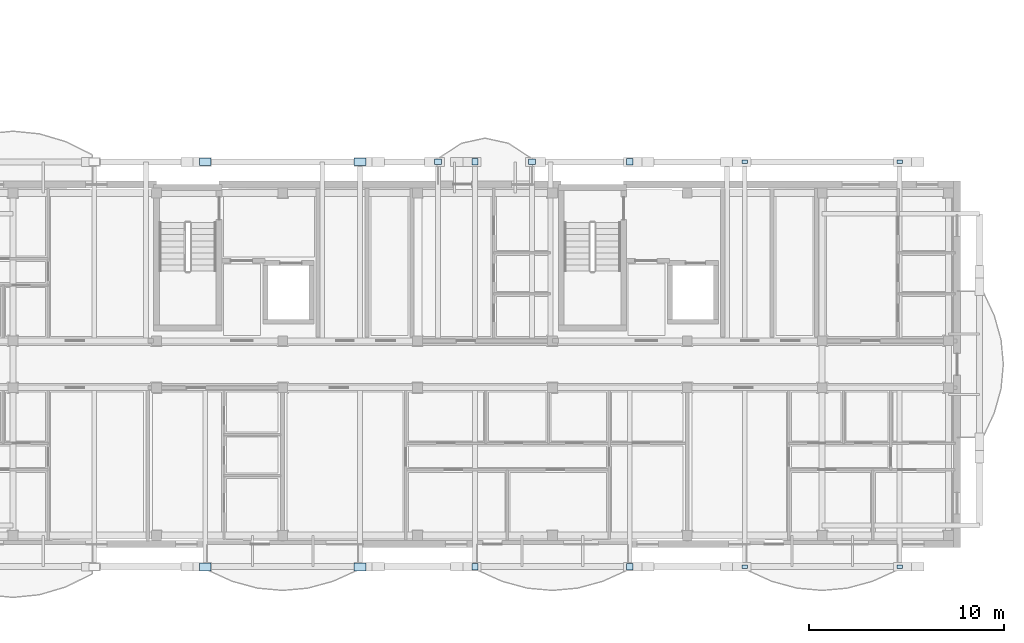
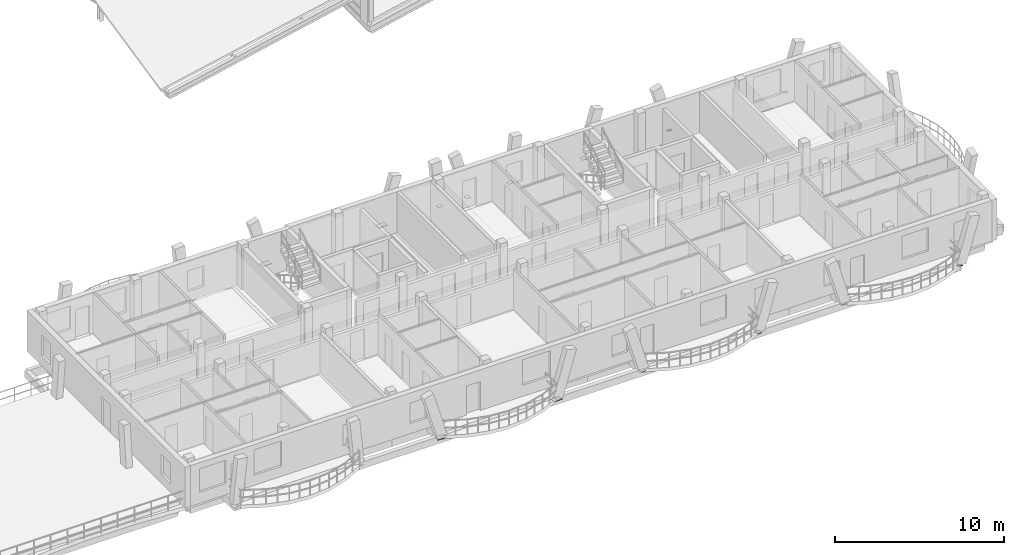
# One storey, part 62 of 109: 14 plates.
"""IFC4 building model written with IfcOpenShell, lengths in metres."""

from ifc_helpers import new_model, si_unit, direction, frame, origin, origin_2d, place, context, subcontext, project, spatial, rectangle, extrude, material, layer, layer_set, type_object, element, save


model = new_model("IFC4")

# Units and contexts
model_context = context("Model", 3, precision=1e-05, world=origin(), true_north=direction((0.0, 1.0)))
body_context = subcontext(model_context, "Body", "Model", "MODEL_VIEW")
ifc_project = project(units=[si_unit("LENGTHUNIT", "METRE"), si_unit("AREAUNIT", "SQUARE_METRE"), si_unit("VOLUMEUNIT", "CUBIC_METRE"), si_unit("PLANEANGLEUNIT", "RADIAN"), si_unit("MASSUNIT", "GRAM", prefix="KILO")], contexts=[model_context])

# Site, building, storey
site_placement = place(None, origin())
site = spatial("IfcSite", under=ifc_project, at=site_placement, CompositionType="ELEMENT")
building_placement = place(site_placement, origin())
building = spatial("IfcBuilding", under=site, at=building_placement, Name="Zavelmont Quarter", CompositionType="ELEMENT")
storey_placement = place(building_placement, frame((0.0, 0.0, 8.0)))
storey = spatial("IfcBuildingStorey", under=building, at=storey_placement, Name="L02", CompositionType="ELEMENT", Elevation=8.0)

# Plates
ifc_material = material(Name="Steel S355", Category="steel")
ifc_layer_1 = layer(ifc_material, 0.02001953125)
ifc_layer_set_1 = layer_set([ifc_layer_1], Name="Steel S355")
plate_type_1 = type_object("IfcPlateType", Name="NP01", PredefinedType="SHEET", material=ifc_layer_set_1)
for number, where, z_axis, x_axis, name in (
    (1, (157.1416015625, -1.162109375, -0.2099609375), (0.0, 0.0, 1.0), (1.0, 0.0, 0.0), "L02 steel connection plate NP01 at 23/A"),
    (2, (165.05859375, -1.162109375, -0.2099609375), (0.0, 0.0, 1.0), (1.0, 0.0, 0.0), "L02 steel connection plate NP01 at 25/A"),
    (3, (157.1416015625, 19.56201171875, -0.2099609375), (0.0, 0.0, 1.0), (1.0, 0.0, 0.0), "L02 steel connection plate NP01 at 23/D"),
    (4, (165.05859375, 19.56201171875, -0.2099609375), (0.0, 0.0, 1.0), (1.0, 0.0, 0.0), "L02 steel connection plate NP01 at 25/D"),
):
    element("IfcPlate", number, at=place(storey_placement, frame(where, z_axis=z_axis, x_axis=x_axis)), inside=storey, type_object=plate_type_1, Name=name, PredefinedType="SHEET", context=body_context, shape_type="SweptSolid", body=[
        extrude(rectangle(XDim=0.280029296875, YDim=0.179931640625, at=origin_2d()), origin(), (0.0, 0.0, 1.0), 0.02001953125),
    ])
ifc_layer_2 = layer(ifc_material, 0.02392578125)
ifc_layer_set_2 = layer_set([ifc_layer_2], Name="Steel S355")
plate_type_2 = type_object("IfcPlateType", Name="NP02", PredefinedType="SHEET", material=ifc_layer_set_2)
for number, where, z_axis, x_axis, name in (
    (5, (141.4462890625, 19.56201171875, -0.2119140625), (0.0, 0.0, 1.0), (1.0, 0.0, 0.0), "L02 steel connection plate NP02 at 21/D"),
    (6, (146.25390625, 19.56201171875, -0.2119140625), (0.0, 0.0, 1.0), (1.0, 0.0, 0.0), "L02 steel connection plate NP02 at 22/D"),
):
    element("IfcPlate", number, at=place(storey_placement, frame(where, z_axis=z_axis, x_axis=x_axis)), inside=storey, type_object=plate_type_2, Name=name, PredefinedType="SHEET", context=body_context, shape_type="SweptSolid", body=[
        extrude(rectangle(XDim=0.360107421875, YDim=0.260009765625, at=origin_2d()), origin(), (0.0, 0.0, 1.0), 0.02392578125),
    ])
ifc_layer_3 = layer(ifc_material, 0.030029296875)
ifc_layer_set_3 = layer_set([ifc_layer_3], Name="Steel S355")
plate_type_3 = type_object("IfcPlateType", Name="NP05", PredefinedType="SHEET", material=ifc_layer_set_3)
for number, where, z_axis, x_axis, name in (
    (7, (129.54150390625, -1.162109375, -0.21484375), (0.0, 0.0, 1.0), (1.0, 0.0, 0.0), "L02 steel connection plate NP05 at 19/A"),
    (8, (137.45849609375, -1.162109375, -0.21484375), (0.0, 0.0, 1.0), (1.0, 0.0, 0.0), "L02 steel connection plate NP05 at 21/A"),
    (9, (129.54150390625, 19.56201171875, -0.21484375), (0.0, 0.0, 1.0), (1.0, 0.0, 0.0), "L02 steel connection plate NP05 at 19/D"),
    (10, (137.45849609375, 19.56201171875, -0.21484375), (0.0, 0.0, 1.0), (1.0, 0.0, 0.0), "L02 steel connection plate NP05 at 21/D"),
):
    element("IfcPlate", number, at=place(storey_placement, frame(where, z_axis=z_axis, x_axis=x_axis)), inside=storey, type_object=plate_type_3, Name=name, PredefinedType="SHEET", context=body_context, shape_type="SweptSolid", body=[
        extrude(rectangle(XDim=0.60009765625, YDim=0.39990234375, at=origin_2d()), origin(), (0.0, 0.0, 1.0), 0.030029296875),
    ])
ifc_layer_4 = layer(ifc_material, 0.02197265625)
ifc_layer_set_4 = layer_set([ifc_layer_4], Name="Steel S355")
plate_type_4 = type_object("IfcPlateType", Name="NP06", PredefinedType="SHEET", material=ifc_layer_set_4)
for number, where, z_axis, x_axis, name in (
    (11, (143.341552734375, -1.162109375, -0.2109375), (0.0, 0.0, 1.0), (1.0, 0.0, 0.0), "L02 steel connection plate NP06 at 21/A"),
    (12, (151.258544921875, -1.162109375, -0.2109375), (0.0, 0.0, 1.0), (1.0, 0.0, 0.0), "L02 steel connection plate NP06 at 23/A"),
    (13, (143.341552734375, 19.56201171875, -0.2109375), (0.0, 0.0, 1.0), (1.0, 0.0, 0.0), "L02 steel connection plate NP06 at 21/D"),
    (14, (151.258544921875, 19.56201171875, -0.2109375), (0.0, 0.0, 1.0), (1.0, 0.0, 0.0), "L02 steel connection plate NP06 at 23/D"),
):
    element("IfcPlate", number, at=place(storey_placement, frame(where, z_axis=z_axis, x_axis=x_axis)), inside=storey, type_object=plate_type_4, Name=name, PredefinedType="SHEET", context=body_context, shape_type="SweptSolid", body=[
        extrude(rectangle(XDim=0.320068359375, YDim=0.320068359375, at=origin_2d()), origin(), (0.0, 0.0, 1.0), 0.02197265625),
    ])

save(model, "model.ifc")
